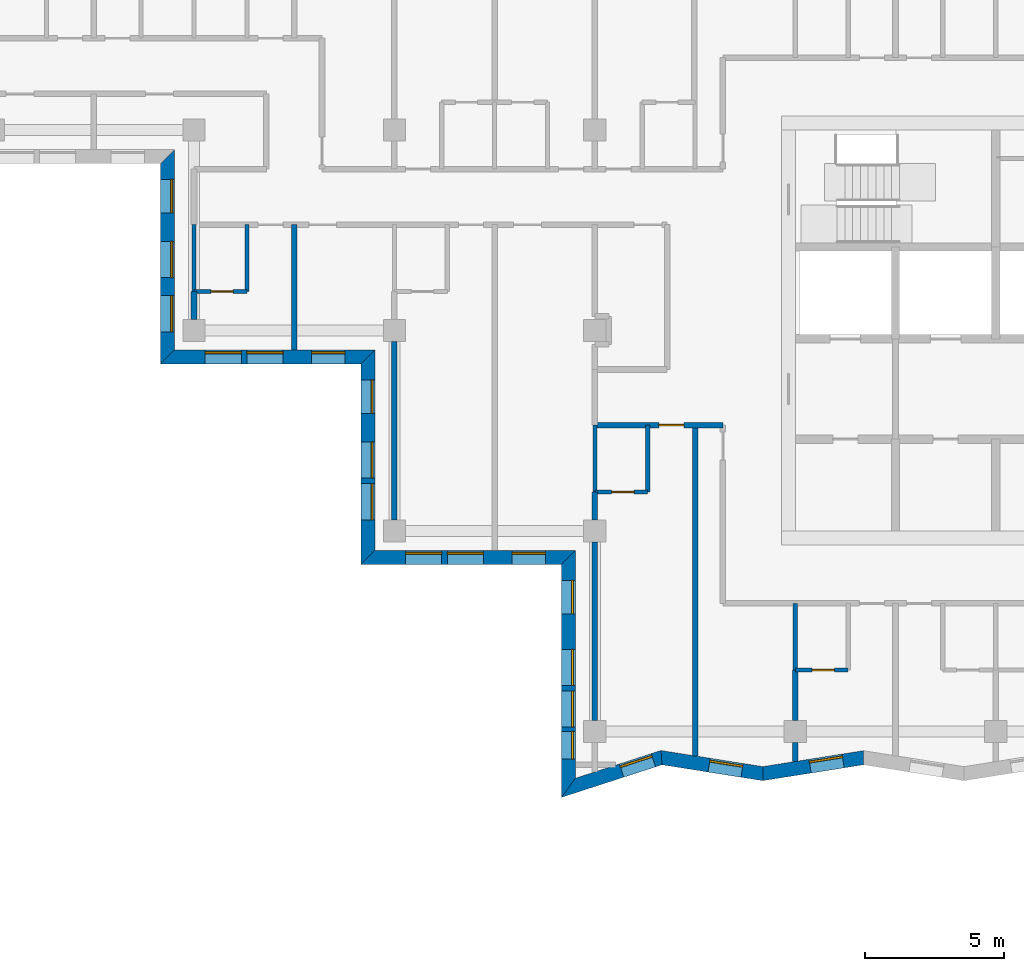
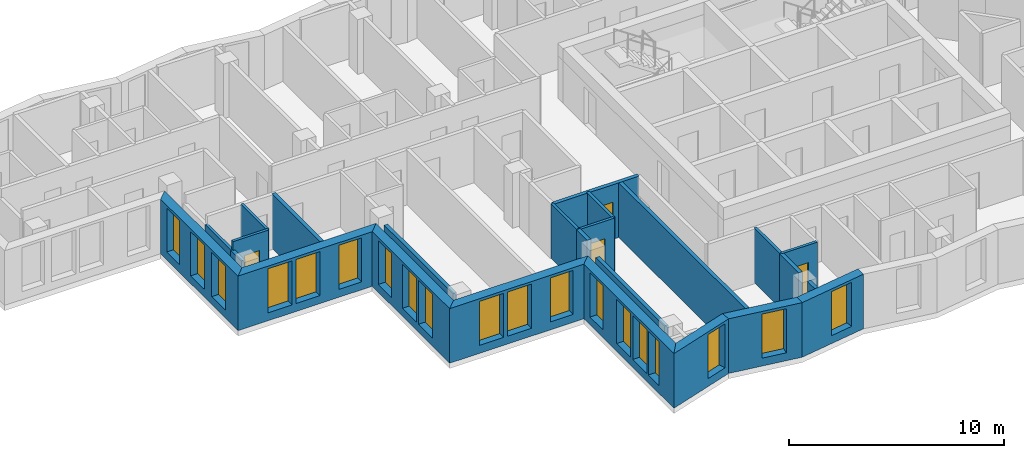
# One storey, part 2 of 13: 25 walls, 19 windows, 4 doors, 23 openings.
"""IFC4 building model written with IfcOpenShell, lengths in metres."""

from ifc_helpers import new_model, si_unit, direction, frame, frame_2d, origin, place, context, subcontext, project, spatial, polyline, rectangle, outline, extrude, material, layer, layer_set, type_object, element, fill, save


model = new_model("IFC4")

# Units and contexts
model_context = context("Model", 3, precision=1e-05, world=origin(), true_north=direction((0.0, 1.0)))
body_context = subcontext(model_context, "Body", "Model", "MODEL_VIEW")
ifc_project = project(units=[si_unit("LENGTHUNIT", "METRE"), si_unit("AREAUNIT", "SQUARE_METRE"), si_unit("VOLUMEUNIT", "CUBIC_METRE"), si_unit("PLANEANGLEUNIT", "RADIAN"), si_unit("MASSUNIT", "GRAM", prefix="KILO")], contexts=[model_context])

# Site, building, storey
site_placement = place(None, origin())
site = spatial("IfcSite", under=ifc_project, at=site_placement, CompositionType="ELEMENT")
building_placement = place(site_placement, origin())
building = spatial("IfcBuilding", under=site, at=building_placement, Name="Windrow Commons", CompositionType="ELEMENT")
storey_placement = place(building_placement, frame((0.0, 0.0, 220.2)))
storey = spatial("IfcBuildingStorey", under=building, at=storey_placement, Name="L60", CompositionType="ELEMENT", Elevation=220.2)

# Wall, openings, windows
ifc_material_1 = material(Name="Brick masonry, red clay brick", Category="masonry")
ifc_layer_1 = layer(ifc_material_1, 0.5)
ifc_layer_set_1 = layer_set([ifc_layer_1], Name="Brick facade wall 500")
wall_type_1 = type_object("IfcWallType", Name="Brick facade wall 500", PredefinedType="SOLIDWALL", material=ifc_layer_set_1)
wall_1_placement = place(storey_placement, frame((35.05, 63.85, 0.0), z_axis=(0.0, 0.0, 1.0), x_axis=(0.0, -1.0, 0.0)))
wall_1 = element("IfcWall", 1, at=wall_1_placement, inside=storey, type_object=wall_type_1, Name="Brick facade wall L60 33", PredefinedType="SOLIDWALL", context=body_context, shape_type="SweptSolid", body=[
    extrude(outline(polyline([(0.25, -0.25), (7.45, -0.25), (6.95, 0.25), (-0.25, 0.25), (0.25, -0.25)])), origin(), (0.0, 0.0, 1.0), 3.1),
])
opening_1_placement = place(wall_1_placement, frame((3.05, 0.0, 0.45)))
opening_1 = element("IfcOpeningElement", 2, at=opening_1_placement, cuts=wall_1, Name="Opening W1Q", PredefinedType="OPENING", context=body_context, shape_type="SweptSolid", body=[
    extrude(rectangle(XDim=1.3, YDim=2.5, at=frame_2d((0.65, 1.25))), frame((0.0, 0.26, 0.0), z_axis=(0.0, -1.0, 0.0), x_axis=(1.0, 0.0, 0.0)), (0.0, 0.0, 1.0), 0.52),
])
opening_2_placement = place(wall_1_placement, frame((5.0, 0.0, 0.45)))
opening_2 = element("IfcOpeningElement", 3, at=opening_2_placement, cuts=wall_1, Name="Opening W1Q", PredefinedType="OPENING", context=body_context, shape_type="SweptSolid", body=[
    extrude(rectangle(XDim=1.3, YDim=2.5, at=frame_2d((0.65, 1.25))), frame((0.0, 0.26, 0.0), z_axis=(0.0, -1.0, 0.0), x_axis=(1.0, 0.0, 0.0)), (0.0, 0.0, 1.0), 0.52),
])
opening_3_placement = place(wall_1_placement, frame((0.825, 0.0, 0.45)))
opening_3 = element("IfcOpeningElement", 4, at=opening_3_placement, cuts=wall_1, Name="Opening W7E", PredefinedType="OPENING", context=body_context, shape_type="SweptSolid", body=[
    extrude(rectangle(XDim=1.2, YDim=2.5, at=frame_2d((0.6, 1.25))), frame((0.0, 0.26, 0.0), z_axis=(0.0, -1.0, 0.0), x_axis=(1.0, 0.0, 0.0)), (0.0, 0.0, 1.0), 0.52),
])
ifc_material_2 = material(Name="Clear float glass in anodised aluminium frame", Category="aluminium")
window_type_1 = type_object("IfcWindowType", Name="Window W1Q pair 1300x2500", PartitioningType="SINGLE_PANEL", PredefinedType="WINDOW", material=ifc_material_2)
window_1_placement = place(opening_1_placement, origin())
window_1 = element("IfcWindow", 5, at=window_1_placement, inside=storey, type_object=window_type_1, Name="Window L60 33.1A", OverallHeight=2.5, OverallWidth=1.3, PartitioningType="SINGLE_PANEL", PredefinedType="WINDOW", context=body_context, shape_type="SweptSolid", body=[
    extrude(rectangle(XDim=1.3, YDim=2.5, at=frame_2d((0.65, 1.25))), frame((0.0, 0.18, 0.0), z_axis=(0.0, -1.0, 0.0), x_axis=(1.0, 0.0, 0.0)), (0.0, 0.0, 1.0), 0.06),
])
fill(opening_1, window_1)
window_2_placement = place(opening_2_placement, origin())
window_2 = element("IfcWindow", 6, at=window_2_placement, inside=storey, type_object=window_type_1, Name="Window L60 33.1B", OverallHeight=2.5, OverallWidth=1.3, PartitioningType="SINGLE_PANEL", PredefinedType="WINDOW", context=body_context, shape_type="SweptSolid", body=[
    extrude(rectangle(XDim=1.3, YDim=2.5, at=frame_2d((0.65, 1.25))), frame((0.0, 0.18, 0.0), z_axis=(0.0, -1.0, 0.0), x_axis=(1.0, 0.0, 0.0)), (0.0, 0.0, 1.0), 0.06),
])
fill(opening_2, window_2)
ifc_material_3 = material(Name="Clear float glass in anodised aluminium frame", Category="aluminium")
window_type_2 = type_object("IfcWindowType", Name="Window W7 notch 1200x2500", PartitioningType="SINGLE_PANEL", PredefinedType="WINDOW", material=ifc_material_3)
window_3_placement = place(opening_3_placement, origin())
window_3 = element("IfcWindow", 7, at=window_3_placement, inside=storey, type_object=window_type_2, Name="Window L60 33.2", OverallHeight=2.5, OverallWidth=1.2, PartitioningType="SINGLE_PANEL", PredefinedType="WINDOW", context=body_context, shape_type="SweptSolid", body=[
    extrude(rectangle(XDim=1.2, YDim=2.5, at=frame_2d((0.6, 1.25))), frame((0.0, 0.18, 0.0), z_axis=(0.0, -1.0, 0.0), x_axis=(1.0, 0.0, 0.0)), (0.0, 0.0, 1.0), 0.06),
])
fill(opening_3, window_3)

wall_2_placement = place(storey_placement, frame((35.05, 56.65, 0.0), z_axis=(0.0, 0.0, 1.0), x_axis=(1.0, 0.0, 0.0)))
wall_2 = element("IfcWall", 8, at=wall_2_placement, inside=storey, type_object=wall_type_1, Name="Brick facade wall L60 34", PredefinedType="SOLIDWALL", context=body_context, shape_type="SweptSolid", body=[
    extrude(outline(polyline([(-0.25, -0.25), (6.95, -0.25), (7.45, 0.25), (0.25, 0.25), (-0.25, -0.25)])), origin(), (0.0, 0.0, 1.0), 3.1),
])
opening_4_placement = place(wall_2_placement, frame((1.35, 0.0, 0.45)))
opening_4 = element("IfcOpeningElement", 9, at=opening_4_placement, cuts=wall_2, Name="Opening W1Q", PredefinedType="OPENING", context=body_context, shape_type="SweptSolid", body=[
    extrude(rectangle(XDim=1.3, YDim=2.5, at=frame_2d((0.65, 1.25))), frame((0.0, 0.26, 0.0), z_axis=(0.0, -1.0, 0.0), x_axis=(1.0, 0.0, 0.0)), (0.0, 0.0, 1.0), 0.52),
])
opening_5_placement = place(wall_2_placement, frame((2.85, 0.0, 0.45)))
opening_5 = element("IfcOpeningElement", 10, at=opening_5_placement, cuts=wall_2, Name="Opening W1Q", PredefinedType="OPENING", context=body_context, shape_type="SweptSolid", body=[
    extrude(rectangle(XDim=1.3, YDim=2.5, at=frame_2d((0.65, 1.25))), frame((0.0, 0.26, 0.0), z_axis=(0.0, -1.0, 0.0), x_axis=(1.0, 0.0, 0.0)), (0.0, 0.0, 1.0), 0.52),
])
opening_6_placement = place(wall_2_placement, frame((5.175, 0.0, 0.45)))
opening_6 = element("IfcOpeningElement", 11, at=opening_6_placement, cuts=wall_2, Name="Opening W7E", PredefinedType="OPENING", context=body_context, shape_type="SweptSolid", body=[
    extrude(rectangle(XDim=1.2, YDim=2.5, at=frame_2d((0.6, 1.25))), frame((0.0, 0.26, 0.0), z_axis=(0.0, -1.0, 0.0), x_axis=(1.0, 0.0, 0.0)), (0.0, 0.0, 1.0), 0.52),
])
window_4_placement = place(opening_4_placement, origin())
window_4 = element("IfcWindow", 12, at=window_4_placement, inside=storey, type_object=window_type_1, Name="Window L60 34.1A", OverallHeight=2.5, OverallWidth=1.3, PartitioningType="SINGLE_PANEL", PredefinedType="WINDOW", context=body_context, shape_type="SweptSolid", body=[
    extrude(rectangle(XDim=1.3, YDim=2.5, at=frame_2d((0.65, 1.25))), frame((0.0, 0.18, 0.0), z_axis=(0.0, -1.0, 0.0), x_axis=(1.0, 0.0, 0.0)), (0.0, 0.0, 1.0), 0.06),
])
fill(opening_4, window_4)
window_5_placement = place(opening_5_placement, origin())
window_5 = element("IfcWindow", 13, at=window_5_placement, inside=storey, type_object=window_type_1, Name="Window L60 34.1B", OverallHeight=2.5, OverallWidth=1.3, PartitioningType="SINGLE_PANEL", PredefinedType="WINDOW", context=body_context, shape_type="SweptSolid", body=[
    extrude(rectangle(XDim=1.3, YDim=2.5, at=frame_2d((0.65, 1.25))), frame((0.0, 0.18, 0.0), z_axis=(0.0, -1.0, 0.0), x_axis=(1.0, 0.0, 0.0)), (0.0, 0.0, 1.0), 0.06),
])
fill(opening_5, window_5)
window_6_placement = place(opening_6_placement, origin())
window_6 = element("IfcWindow", 14, at=window_6_placement, inside=storey, type_object=window_type_2, Name="Window L60 34.2", OverallHeight=2.5, OverallWidth=1.2, PartitioningType="SINGLE_PANEL", PredefinedType="WINDOW", context=body_context, shape_type="SweptSolid", body=[
    extrude(rectangle(XDim=1.2, YDim=2.5, at=frame_2d((0.6, 1.25))), frame((0.0, 0.18, 0.0), z_axis=(0.0, -1.0, 0.0), x_axis=(1.0, 0.0, 0.0)), (0.0, 0.0, 1.0), 0.06),
])
fill(opening_6, window_6)

wall_3_placement = place(storey_placement, frame((42.25, 56.65, 0.0), z_axis=(0.0, 0.0, 1.0), x_axis=(0.0, -1.0, 0.0)))
wall_3 = element("IfcWall", 15, at=wall_3_placement, inside=storey, type_object=wall_type_1, Name="Brick facade wall L60 35", PredefinedType="SOLIDWALL", context=body_context, shape_type="SweptSolid", body=[
    extrude(outline(polyline([(0.25, -0.25), (7.45, -0.25), (6.95, 0.25), (-0.25, 0.25), (0.25, -0.25)])), origin(), (0.0, 0.0, 1.0), 3.1),
])
opening_7_placement = place(wall_3_placement, frame((3.05, 0.0, 0.45)))
opening_7 = element("IfcOpeningElement", 16, at=opening_7_placement, cuts=wall_3, Name="Opening W1Q", PredefinedType="OPENING", context=body_context, shape_type="SweptSolid", body=[
    extrude(rectangle(XDim=1.3, YDim=2.5, at=frame_2d((0.65, 1.25))), frame((0.0, 0.26, 0.0), z_axis=(0.0, -1.0, 0.0), x_axis=(1.0, 0.0, 0.0)), (0.0, 0.0, 1.0), 0.52),
])
opening_8_placement = place(wall_3_placement, frame((4.55, 0.0, 0.45)))
opening_8 = element("IfcOpeningElement", 17, at=opening_8_placement, cuts=wall_3, Name="Opening W1Q", PredefinedType="OPENING", context=body_context, shape_type="SweptSolid", body=[
    extrude(rectangle(XDim=1.3, YDim=2.5, at=frame_2d((0.65, 1.25))), frame((0.0, 0.26, 0.0), z_axis=(0.0, -1.0, 0.0), x_axis=(1.0, 0.0, 0.0)), (0.0, 0.0, 1.0), 0.52),
])
opening_9_placement = place(wall_3_placement, frame((0.825, 0.0, 0.45)))
opening_9 = element("IfcOpeningElement", 18, at=opening_9_placement, cuts=wall_3, Name="Opening W7E", PredefinedType="OPENING", context=body_context, shape_type="SweptSolid", body=[
    extrude(rectangle(XDim=1.2, YDim=2.5, at=frame_2d((0.6, 1.25))), frame((0.0, 0.26, 0.0), z_axis=(0.0, -1.0, 0.0), x_axis=(1.0, 0.0, 0.0)), (0.0, 0.0, 1.0), 0.52),
])
window_7_placement = place(opening_7_placement, origin())
window_7 = element("IfcWindow", 19, at=window_7_placement, inside=storey, type_object=window_type_1, Name="Window L60 35.1A", OverallHeight=2.5, OverallWidth=1.3, PartitioningType="SINGLE_PANEL", PredefinedType="WINDOW", context=body_context, shape_type="SweptSolid", body=[
    extrude(rectangle(XDim=1.3, YDim=2.5, at=frame_2d((0.65, 1.25))), frame((0.0, 0.18, 0.0), z_axis=(0.0, -1.0, 0.0), x_axis=(1.0, 0.0, 0.0)), (0.0, 0.0, 1.0), 0.06),
])
fill(opening_7, window_7)
window_8_placement = place(opening_8_placement, origin())
window_8 = element("IfcWindow", 20, at=window_8_placement, inside=storey, type_object=window_type_1, Name="Window L60 35.1B", OverallHeight=2.5, OverallWidth=1.3, PartitioningType="SINGLE_PANEL", PredefinedType="WINDOW", context=body_context, shape_type="SweptSolid", body=[
    extrude(rectangle(XDim=1.3, YDim=2.5, at=frame_2d((0.65, 1.25))), frame((0.0, 0.18, 0.0), z_axis=(0.0, -1.0, 0.0), x_axis=(1.0, 0.0, 0.0)), (0.0, 0.0, 1.0), 0.06),
])
fill(opening_8, window_8)
window_9_placement = place(opening_9_placement, origin())
window_9 = element("IfcWindow", 21, at=window_9_placement, inside=storey, type_object=window_type_2, Name="Window L60 35.2", OverallHeight=2.5, OverallWidth=1.2, PartitioningType="SINGLE_PANEL", PredefinedType="WINDOW", context=body_context, shape_type="SweptSolid", body=[
    extrude(rectangle(XDim=1.2, YDim=2.5, at=frame_2d((0.6, 1.25))), frame((0.0, 0.18, 0.0), z_axis=(0.0, -1.0, 0.0), x_axis=(1.0, 0.0, 0.0)), (0.0, 0.0, 1.0), 0.06),
])
fill(opening_9, window_9)

wall_4_placement = place(storey_placement, frame((42.25, 49.45, 0.0), z_axis=(0.0, 0.0, 1.0), x_axis=(1.0, 0.0, 0.0)))
wall_4 = element("IfcWall", 22, at=wall_4_placement, inside=storey, type_object=wall_type_1, Name="Brick facade wall L60 36", PredefinedType="SOLIDWALL", context=body_context, shape_type="SweptSolid", body=[
    extrude(outline(polyline([(-0.25, -0.25), (6.95, -0.25), (7.45, 0.25), (0.25, 0.25), (-0.25, -0.25)])), origin(), (0.0, 0.0, 1.0), 3.1),
])
opening_10_placement = place(wall_4_placement, frame((1.35, 0.0, 0.45)))
opening_10 = element("IfcOpeningElement", 23, at=opening_10_placement, cuts=wall_4, Name="Opening W1Q", PredefinedType="OPENING", context=body_context, shape_type="SweptSolid", body=[
    extrude(rectangle(XDim=1.3, YDim=2.5, at=frame_2d((0.65, 1.25))), frame((0.0, 0.26, 0.0), z_axis=(0.0, -1.0, 0.0), x_axis=(1.0, 0.0, 0.0)), (0.0, 0.0, 1.0), 0.52),
])
opening_11_placement = place(wall_4_placement, frame((2.85, 0.0, 0.45)))
opening_11 = element("IfcOpeningElement", 24, at=opening_11_placement, cuts=wall_4, Name="Opening W1Q", PredefinedType="OPENING", context=body_context, shape_type="SweptSolid", body=[
    extrude(rectangle(XDim=1.3, YDim=2.5, at=frame_2d((0.65, 1.25))), frame((0.0, 0.26, 0.0), z_axis=(0.0, -1.0, 0.0), x_axis=(1.0, 0.0, 0.0)), (0.0, 0.0, 1.0), 0.52),
])
opening_12_placement = place(wall_4_placement, frame((5.175, 0.0, 0.45)))
opening_12 = element("IfcOpeningElement", 25, at=opening_12_placement, cuts=wall_4, Name="Opening W7E", PredefinedType="OPENING", context=body_context, shape_type="SweptSolid", body=[
    extrude(rectangle(XDim=1.2, YDim=2.5, at=frame_2d((0.6, 1.25))), frame((0.0, 0.26, 0.0), z_axis=(0.0, -1.0, 0.0), x_axis=(1.0, 0.0, 0.0)), (0.0, 0.0, 1.0), 0.52),
])
window_10_placement = place(opening_10_placement, origin())
window_10 = element("IfcWindow", 26, at=window_10_placement, inside=storey, type_object=window_type_1, Name="Window L60 36.1A", OverallHeight=2.5, OverallWidth=1.3, PartitioningType="SINGLE_PANEL", PredefinedType="WINDOW", context=body_context, shape_type="SweptSolid", body=[
    extrude(rectangle(XDim=1.3, YDim=2.5, at=frame_2d((0.65, 1.25))), frame((0.0, 0.18, 0.0), z_axis=(0.0, -1.0, 0.0), x_axis=(1.0, 0.0, 0.0)), (0.0, 0.0, 1.0), 0.06),
])
fill(opening_10, window_10)
window_11_placement = place(opening_11_placement, origin())
window_11 = element("IfcWindow", 27, at=window_11_placement, inside=storey, type_object=window_type_1, Name="Window L60 36.1B", OverallHeight=2.5, OverallWidth=1.3, PartitioningType="SINGLE_PANEL", PredefinedType="WINDOW", context=body_context, shape_type="SweptSolid", body=[
    extrude(rectangle(XDim=1.3, YDim=2.5, at=frame_2d((0.65, 1.25))), frame((0.0, 0.18, 0.0), z_axis=(0.0, -1.0, 0.0), x_axis=(1.0, 0.0, 0.0)), (0.0, 0.0, 1.0), 0.06),
])
fill(opening_11, window_11)
window_12_placement = place(opening_12_placement, origin())
window_12 = element("IfcWindow", 28, at=window_12_placement, inside=storey, type_object=window_type_2, Name="Window L60 36.2", OverallHeight=2.5, OverallWidth=1.2, PartitioningType="SINGLE_PANEL", PredefinedType="WINDOW", context=body_context, shape_type="SweptSolid", body=[
    extrude(rectangle(XDim=1.2, YDim=2.5, at=frame_2d((0.6, 1.25))), frame((0.0, 0.18, 0.0), z_axis=(0.0, -1.0, 0.0), x_axis=(1.0, 0.0, 0.0)), (0.0, 0.0, 1.0), 0.06),
])
fill(opening_12, window_12)

wall_5_placement = place(storey_placement, frame((49.45, 49.45, 0.0), z_axis=(0.0, 0.0, 1.0), x_axis=(0.0, -1.0, 0.0)))
wall_5 = element("IfcWall", 29, at=wall_5_placement, inside=storey, type_object=wall_type_1, Name="Brick facade wall L60 37", PredefinedType="SOLIDWALL", context=body_context, shape_type="SweptSolid", body=[
    extrude(outline(polyline([(0.25, -0.25), (8.622, -0.25), (7.9343, 0.25), (-0.25, 0.25), (0.25, -0.25)])), origin(), (0.0, 0.0, 1.0), 3.1),
])
opening_13_placement = place(wall_5_placement, frame((3.3, 0.0, 0.45)))
opening_13 = element("IfcOpeningElement", 30, at=opening_13_placement, cuts=wall_5, Name="Opening W1Q", PredefinedType="OPENING", context=body_context, shape_type="SweptSolid", body=[
    extrude(rectangle(XDim=1.3, YDim=2.5, at=frame_2d((0.65, 1.25))), frame((0.0, 0.26, 0.0), z_axis=(0.0, -1.0, 0.0), x_axis=(1.0, 0.0, 0.0)), (0.0, 0.0, 1.0), 0.52),
])
opening_14_placement = place(wall_5_placement, frame((4.8, 0.0, 0.45)))
opening_14 = element("IfcOpeningElement", 31, at=opening_14_placement, cuts=wall_5, Name="Opening W1Q", PredefinedType="OPENING", context=body_context, shape_type="SweptSolid", body=[
    extrude(rectangle(XDim=1.3, YDim=2.5, at=frame_2d((0.65, 1.25))), frame((0.0, 0.26, 0.0), z_axis=(0.0, -1.0, 0.0), x_axis=(1.0, 0.0, 0.0)), (0.0, 0.0, 1.0), 0.52),
])
opening_15_placement = place(wall_5_placement, frame((0.825, 0.0, 0.45)))
opening_15 = element("IfcOpeningElement", 32, at=opening_15_placement, cuts=wall_5, Name="Opening W7E", PredefinedType="OPENING", context=body_context, shape_type="SweptSolid", body=[
    extrude(rectangle(XDim=1.2, YDim=2.5, at=frame_2d((0.6, 1.25))), frame((0.0, 0.26, 0.0), z_axis=(0.0, -1.0, 0.0), x_axis=(1.0, 0.0, 0.0)), (0.0, 0.0, 1.0), 0.52),
])
opening_16_placement = place(wall_5_placement, frame((6.25, 0.0, 0.45)))
opening_16 = element("IfcOpeningElement", 33, at=opening_16_placement, cuts=wall_5, Name="Opening W1S", PredefinedType="OPENING", context=body_context, shape_type="SweptSolid", body=[
    extrude(rectangle(XDim=1.0, YDim=2.5, at=frame_2d((0.5, 1.25))), frame((0.0, 0.26, 0.0), z_axis=(0.0, -1.0, 0.0), x_axis=(1.0, 0.0, 0.0)), (0.0, 0.0, 1.0), 0.52),
])
window_13_placement = place(opening_13_placement, origin())
window_13 = element("IfcWindow", 34, at=window_13_placement, inside=storey, type_object=window_type_1, Name="Window L60 37.1A", OverallHeight=2.5, OverallWidth=1.3, PartitioningType="SINGLE_PANEL", PredefinedType="WINDOW", context=body_context, shape_type="SweptSolid", body=[
    extrude(rectangle(XDim=1.3, YDim=2.5, at=frame_2d((0.65, 1.25))), frame((0.0, 0.18, 0.0), z_axis=(0.0, -1.0, 0.0), x_axis=(1.0, 0.0, 0.0)), (0.0, 0.0, 1.0), 0.06),
])
fill(opening_13, window_13)
window_14_placement = place(opening_14_placement, origin())
window_14 = element("IfcWindow", 35, at=window_14_placement, inside=storey, type_object=window_type_1, Name="Window L60 37.1B", OverallHeight=2.5, OverallWidth=1.3, PartitioningType="SINGLE_PANEL", PredefinedType="WINDOW", context=body_context, shape_type="SweptSolid", body=[
    extrude(rectangle(XDim=1.3, YDim=2.5, at=frame_2d((0.65, 1.25))), frame((0.0, 0.18, 0.0), z_axis=(0.0, -1.0, 0.0), x_axis=(1.0, 0.0, 0.0)), (0.0, 0.0, 1.0), 0.06),
])
fill(opening_14, window_14)
ifc_material_4 = material(Name="Clear float glass in anodised aluminium frame", Category="aluminium")
window_type_3 = type_object("IfcWindowType", Name="Window W1S slit 1000x2500", PartitioningType="SINGLE_PANEL", PredefinedType="WINDOW", material=ifc_material_4)
window_15_placement = place(opening_16_placement, origin())
window_15 = element("IfcWindow", 36, at=window_15_placement, inside=storey, type_object=window_type_3, Name="Window L60 37.3A", OverallHeight=2.5, OverallWidth=1.0, PartitioningType="SINGLE_PANEL", PredefinedType="WINDOW", context=body_context, shape_type="SweptSolid", body=[
    extrude(rectangle(XDim=1.0, YDim=2.5, at=frame_2d((0.5, 1.25))), frame((0.0, 0.18, 0.0), z_axis=(0.0, -1.0, 0.0), x_axis=(1.0, 0.0, 0.0)), (0.0, 0.0, 1.0), 0.06),
])
fill(opening_16, window_15)
window_16_placement = place(opening_15_placement, origin())
window_16 = element("IfcWindow", 37, at=window_16_placement, inside=storey, type_object=window_type_2, Name="Window L60 37.2", OverallHeight=2.5, OverallWidth=1.2, PartitioningType="SINGLE_PANEL", PredefinedType="WINDOW", context=body_context, shape_type="SweptSolid", body=[
    extrude(rectangle(XDim=1.2, YDim=2.5, at=frame_2d((0.6, 1.25))), frame((0.0, 0.18, 0.0), z_axis=(0.0, -1.0, 0.0), x_axis=(1.0, 0.0, 0.0)), (0.0, 0.0, 1.0), 0.06),
])
fill(opening_15, window_16)

# Wall, opening, window
wall_6_placement = place(storey_placement, frame((49.45, 41.1718, 0.0), z_axis=(0.0, 0.0, 1.0), x_axis=(0.9512775992, 0.3083357412, 0.0)))
wall_6 = element("IfcWall", 38, at=wall_6_placement, inside=storey, type_object=wall_type_1, Name="Brick facade wall L60 38", PredefinedType="SOLIDWALL", context=body_context, shape_type="SweptSolid", body=[
    extrude(outline(polyline([(-0.3438, -0.25), (3.4573, -0.25), (3.5771, 0.25), (0.3438, 0.25), (-0.3438, -0.25)])), origin(), (0.0, 0.0, 1.0), 3.1),
])
opening_17_placement = place(wall_6_placement, frame((2.0079, 0.0, 0.45)))
opening_17 = element("IfcOpeningElement", 39, at=opening_17_placement, cuts=wall_6, Name="Opening W7E", PredefinedType="OPENING", context=body_context, shape_type="SweptSolid", body=[
    extrude(rectangle(XDim=1.2, YDim=2.5, at=frame_2d((0.6, 1.25))), frame((0.0, 0.26, 0.0), z_axis=(0.0, -1.0, 0.0), x_axis=(1.0, 0.0, 0.0)), (0.0, 0.0, 1.0), 0.52),
])
window_17_placement = place(opening_17_placement, origin())
window_17 = element("IfcWindow", 40, at=window_17_placement, inside=storey, type_object=window_type_2, Name="Window L60 38.1", OverallHeight=2.5, OverallWidth=1.2, PartitioningType="SINGLE_PANEL", PredefinedType="WINDOW", context=body_context, shape_type="SweptSolid", body=[
    extrude(rectangle(XDim=1.2, YDim=2.5, at=frame_2d((0.6, 1.25))), frame((0.0, 0.18, 0.0), z_axis=(0.0, -1.0, 0.0), x_axis=(1.0, 0.0, 0.0)), (0.0, 0.0, 1.0), 0.06),
])
fill(opening_17, window_17)

wall_7_placement = place(storey_placement, frame((52.7959, 42.2563, 0.0), z_axis=(0.0, 0.0, 1.0), x_axis=(0.9877177726, -0.1562485253, 0.0)))
wall_7 = element("IfcWall", 41, at=wall_7_placement, inside=storey, type_object=wall_type_1, Name="Brick facade wall L60 39", PredefinedType="SOLIDWALL", context=body_context, shape_type="SweptSolid", body=[
    extrude(outline(polyline([(0.0599, -0.25), (3.7208, -0.25), (3.6418, 0.25), (-0.0599, 0.25), (0.0599, -0.25)])), origin(), (0.0, 0.0, 1.0), 3.1),
])
opening_18_placement = place(wall_7_placement, frame((1.7304, 0.0, 0.45)))
opening_18 = element("IfcOpeningElement", 42, at=opening_18_placement, cuts=wall_7, Name="Opening W7E", PredefinedType="OPENING", context=body_context, shape_type="SweptSolid", body=[
    extrude(rectangle(XDim=1.2, YDim=2.5, at=frame_2d((0.6, 1.25))), frame((0.0, 0.26, 0.0), z_axis=(0.0, -1.0, 0.0), x_axis=(1.0, 0.0, 0.0)), (0.0, 0.0, 1.0), 0.52),
])
window_18_placement = place(opening_18_placement, origin())
window_18 = element("IfcWindow", 43, at=window_18_placement, inside=storey, type_object=window_type_2, Name="Window L60 39.1", OverallHeight=2.5, OverallWidth=1.2, PartitioningType="SINGLE_PANEL", PredefinedType="WINDOW", context=body_context, shape_type="SweptSolid", body=[
    extrude(rectangle(XDim=1.2, YDim=2.5, at=frame_2d((0.6, 1.25))), frame((0.0, 0.18, 0.0), z_axis=(0.0, -1.0, 0.0), x_axis=(1.0, 0.0, 0.0)), (0.0, 0.0, 1.0), 0.06),
])
fill(opening_18, window_18)

wall_8_placement = place(storey_placement, frame((56.432, 41.6811, 0.0), z_axis=(0.0, 0.0, 1.0), x_axis=(0.9877186305, 0.156243102, 0.0)))
wall_8 = element("IfcWall", 44, at=wall_8_placement, inside=storey, type_object=wall_type_1, Name="Brick facade wall L60 40", PredefinedType="SOLIDWALL", context=body_context, shape_type="SweptSolid", body=[
    extrude(outline(polyline([(-0.0395, -0.25), (3.6214, -0.25), (3.7005, 0.25), (0.0395, 0.25), (-0.0395, -0.25)])), origin(), (0.0, 0.0, 1.0), 3.1),
])
opening_19_placement = place(wall_8_placement, frame((1.7217, 0.0, 0.45)))
opening_19 = element("IfcOpeningElement", 45, at=opening_19_placement, cuts=wall_8, Name="Opening W7E", PredefinedType="OPENING", context=body_context, shape_type="SweptSolid", body=[
    extrude(rectangle(XDim=1.2, YDim=2.5, at=frame_2d((0.6, 1.25))), frame((0.0, 0.26, 0.0), z_axis=(0.0, -1.0, 0.0), x_axis=(1.0, 0.0, 0.0)), (0.0, 0.0, 1.0), 0.52),
])
window_19_placement = place(opening_19_placement, origin())
window_19 = element("IfcWindow", 46, at=window_19_placement, inside=storey, type_object=window_type_2, Name="Window L60 40.1", OverallHeight=2.5, OverallWidth=1.2, PartitioningType="SINGLE_PANEL", PredefinedType="WINDOW", context=body_context, shape_type="SweptSolid", body=[
    extrude(rectangle(XDim=1.2, YDim=2.5, at=frame_2d((0.6, 1.25))), frame((0.0, 0.18, 0.0), z_axis=(0.0, -1.0, 0.0), x_axis=(1.0, 0.0, 0.0)), (0.0, 0.0, 1.0), 0.06),
])
fill(opening_19, window_19)

# Wall, opening, door
ifc_material_5 = material(Name="Blockwork partition", Category="masonry")
ifc_layer_2 = layer(ifc_material_5, 0.2)
ifc_layer_set_2 = layer_set([ifc_layer_2], Name="IW-CORRIDOR-200")
wall_type_2 = type_object("IfcWallType", Name="IW-CORRIDOR-200", PredefinedType="PARTITIONING", material=ifc_layer_set_2)
wall_9_placement = place(storey_placement, frame((50.4, 54.2, 0.0), z_axis=(0.0, 0.0, 1.0), x_axis=(1.0, 0.0, 0.0)))
wall_9 = element("IfcWall", 47, at=wall_9_placement, inside=storey, type_object=wall_type_2, Name="W-L60-W037", PredefinedType="PARTITIONING", context=body_context, shape_type="SweptSolid", body=[
    extrude(rectangle(XDim=4.6, YDim=0.2, at=frame_2d((2.3, 0.0))), origin(), (0.0, 0.0, 1.0), 3.1),
])
opening_20_placement = place(wall_9_placement, frame((2.3, 0.0, 0.0)))
opening_20 = element("IfcOpeningElement", 48, at=opening_20_placement, cuts=wall_9, Name="Opening D109S", PredefinedType="OPENING", context=body_context, shape_type="SweptSolid", body=[
    extrude(rectangle(XDim=0.9, YDim=2.1, at=frame_2d((0.45, 1.05))), frame((0.0, 0.11, 0.0), z_axis=(0.0, -1.0, 0.0), x_axis=(1.0, 0.0, 0.0)), (0.0, 0.0, 1.0), 0.22),
])
ifc_material_6 = material(Name="Timber door leaf", Category="wood")
door_type_1 = type_object("IfcDoorType", Name="DT-BEDROOM-900", OperationType="SINGLE_SWING_LEFT", PredefinedType="DOOR", material=ifc_material_6)
door_1_placement = place(opening_20_placement, origin())
door_1 = element("IfcDoor", 49, at=door_1_placement, inside=storey, type_object=door_type_1, Name="D-L60-D026", OperationType="SINGLE_SWING_LEFT", OverallHeight=2.1, OverallWidth=0.9, PredefinedType="DOOR", context=body_context, shape_type="SweptSolid", body=[
    extrude(rectangle(XDim=0.9, YDim=2.1, at=frame_2d((0.45, 1.05))), frame((0.0, 0.025, 0.0), z_axis=(0.0, -1.0, 0.0), x_axis=(1.0, 0.0, 0.0)), (0.0, 0.0, 1.0), 0.05),
])
fill(opening_20, door_1)

# Walls
ifc_material_7 = material(Name="Blockwork partition", Category="masonry")
ifc_layer_3 = layer(ifc_material_7, 0.15)
ifc_layer_set_3 = layer_set([ifc_layer_3], Name="IW-ENSUITE-150")
wall_type_3 = type_object("IfcWallType", Name="IW-ENSUITE-150", PredefinedType="PARTITIONING", material=ifc_layer_set_3)
for number, where, z_axis, x_axis, name in (
    (50, (52.3, 51.8, 0.0), (0.0, 0.0, 1.0), (0.0, 1.0, 0.0), "W-L60-W078"),
    (51, (50.4, 51.8, 0.0), (0.0, 0.0, 1.0), (0.0, 1.0, 0.0), "W-L60-W079"),
    (52, (37.9, 59.0, 0.0), (0.0, 0.0, 1.0), (0.0, 1.0, 0.0), "W-L60-W080"),
):
    element("IfcWall", number, at=place(storey_placement, frame(where, z_axis=z_axis, x_axis=x_axis)), inside=storey, type_object=wall_type_3, Name=name, PredefinedType="PARTITIONING", context=body_context, shape_type="SweptSolid", body=[
        extrude(rectangle(XDim=2.4, YDim=0.15, at=frame_2d((1.2, 0.0))), origin(), (0.0, 0.0, 1.0), 3.1),
    ])
wall_10_placement = place(storey_placement, frame((36.0, 59.0, 0.0), z_axis=(0.0, 0.0, 1.0), x_axis=(0.0, 1.0, 0.0)))
element("IfcWall", 53, at=wall_10_placement, inside=storey, type_object=wall_type_3, Name="W-L60-W081", PredefinedType="PARTITIONING", context=body_context, shape_type="SweptSolid", body=[
    extrude(rectangle(XDim=2.4, YDim=0.15, at=frame_2d((1.2, 0.0))), origin(), (0.0, 0.0, 1.0), 2.6),
])
wall_11_placement = place(storey_placement, frame((57.6, 45.4, 0.0), z_axis=(0.0, 0.0, 1.0), x_axis=(0.0, 1.0, 0.0)))
element("IfcWall", 54, at=wall_11_placement, inside=storey, type_object=wall_type_3, Name="W-L60-W090", PredefinedType="PARTITIONING", context=body_context, shape_type="SweptSolid", body=[
    extrude(rectangle(XDim=2.4, YDim=0.15, at=frame_2d((1.2, 0.0))), origin(), (0.0, 0.0, 1.0), 3.1),
])

# Wall, opening, door
wall_12_placement = place(storey_placement, frame((36.0, 59.0, 0.0), z_axis=(0.0, 0.0, 1.0), x_axis=(1.0, 0.0, 0.0)))
wall_12 = element("IfcWall", 55, at=wall_12_placement, inside=storey, type_object=wall_type_3, Name="W-L60-W119", PredefinedType="PARTITIONING", context=body_context, shape_type="SweptSolid", body=[
    extrude(rectangle(XDim=1.9, YDim=0.15, at=frame_2d((0.95, 0.0))), origin(), (0.0, 0.0, 1.0), 3.1),
])
opening_21_placement = place(wall_12_placement, frame((0.6069, 0.0, 0.0)))
opening_21 = element("IfcOpeningElement", 56, at=opening_21_placement, cuts=wall_12, Name="Opening D208N", PredefinedType="OPENING", context=body_context, shape_type="SweptSolid", body=[
    extrude(rectangle(XDim=0.8, YDim=2.1, at=frame_2d((0.4, 1.05))), frame((0.0, 0.085, 0.0), z_axis=(0.0, -1.0, 0.0), x_axis=(1.0, 0.0, 0.0)), (0.0, 0.0, 1.0), 0.17),
])
ifc_material_8 = material(Name="Timber door leaf", Category="wood")
door_type_2 = type_object("IfcDoorType", Name="DT-ENSUITE-800", OperationType="SINGLE_SWING_LEFT", PredefinedType="DOOR", material=ifc_material_8)
door_2_placement = place(opening_21_placement, origin())
door_2 = element("IfcDoor", 57, at=door_2_placement, inside=storey, type_object=door_type_2, Name="D-L60-D010", OperationType="SINGLE_SWING_RIGHT", OverallHeight=2.1, OverallWidth=0.8, PredefinedType="DOOR", context=body_context, shape_type="SweptSolid", body=[
    extrude(rectangle(XDim=0.8, YDim=2.1, at=frame_2d((0.4, 1.05))), frame((0.0, 0.025, 0.0), z_axis=(0.0, -1.0, 0.0), x_axis=(1.0, 0.0, 0.0)), (0.0, 0.0, 1.0), 0.05),
])
fill(opening_21, door_2)

wall_13_placement = place(storey_placement, frame((50.4, 51.8, 0.0), z_axis=(0.0, 0.0, 1.0), x_axis=(1.0, 0.0, 0.0)))
wall_13 = element("IfcWall", 58, at=wall_13_placement, inside=storey, type_object=wall_type_3, Name="W-L60-W122", PredefinedType="PARTITIONING", context=body_context, shape_type="SweptSolid", body=[
    extrude(rectangle(XDim=1.9, YDim=0.15, at=frame_2d((0.95, 0.0))), origin(), (0.0, 0.0, 1.0), 3.1),
])
opening_22_placement = place(wall_13_placement, frame((0.6069, 0.0, 0.0)))
opening_22 = element("IfcOpeningElement", 59, at=opening_22_placement, cuts=wall_13, Name="Opening D208N", PredefinedType="OPENING", context=body_context, shape_type="SweptSolid", body=[
    extrude(rectangle(XDim=0.8, YDim=2.1, at=frame_2d((0.4, 1.05))), frame((0.0, 0.085, 0.0), z_axis=(0.0, -1.0, 0.0), x_axis=(1.0, 0.0, 0.0)), (0.0, 0.0, 1.0), 0.17),
])
door_3_placement = place(opening_22_placement, origin())
door_3 = element("IfcDoor", 60, at=door_3_placement, inside=storey, type_object=door_type_2, Name="D-L60-D027", OperationType="SINGLE_SWING_RIGHT", OverallHeight=2.1, OverallWidth=0.8, PredefinedType="DOOR", context=body_context, shape_type="SweptSolid", body=[
    extrude(rectangle(XDim=0.8, YDim=2.1, at=frame_2d((0.4, 1.05))), frame((0.0, 0.025, 0.0), z_axis=(0.0, -1.0, 0.0), x_axis=(1.0, 0.0, 0.0)), (0.0, 0.0, 1.0), 0.05),
])
fill(opening_22, door_3)

wall_14_placement = place(storey_placement, frame((57.6, 45.4, 0.0), z_axis=(0.0, 0.0, 1.0), x_axis=(1.0, 0.0, 0.0)))
wall_14 = element("IfcWall", 61, at=wall_14_placement, inside=storey, type_object=wall_type_3, Name="W-L60-W123", PredefinedType="PARTITIONING", context=body_context, shape_type="SweptSolid", body=[
    extrude(rectangle(XDim=1.9, YDim=0.15, at=frame_2d((0.95, 0.0))), origin(), (0.0, 0.0, 1.0), 3.1),
])
opening_23_placement = place(wall_14_placement, frame((0.6069, 0.0, 0.0)))
opening_23 = element("IfcOpeningElement", 62, at=opening_23_placement, cuts=wall_14, Name="Opening D208N", PredefinedType="OPENING", context=body_context, shape_type="SweptSolid", body=[
    extrude(rectangle(XDim=0.8, YDim=2.1, at=frame_2d((0.4, 1.05))), frame((0.0, 0.085, 0.0), z_axis=(0.0, -1.0, 0.0), x_axis=(1.0, 0.0, 0.0)), (0.0, 0.0, 1.0), 0.17),
])
door_4_placement = place(opening_23_placement, origin())
door_4 = element("IfcDoor", 63, at=door_4_placement, inside=storey, type_object=door_type_2, Name="D-L60-D031", OperationType="SINGLE_SWING_RIGHT", OverallHeight=2.1, OverallWidth=0.8, PredefinedType="DOOR", context=body_context, shape_type="SweptSolid", body=[
    extrude(rectangle(XDim=0.8, YDim=2.1, at=frame_2d((0.4, 1.05))), frame((0.0, 0.025, 0.0), z_axis=(0.0, -1.0, 0.0), x_axis=(1.0, 0.0, 0.0)), (0.0, 0.0, 1.0), 0.05),
])
fill(opening_23, door_4)

# Walls
ifc_material_9 = material(Name="Blockwork partition", Category="masonry")
ifc_layer_4 = layer(ifc_material_9, 0.2)
ifc_layer_set_4 = layer_set([ifc_layer_4], Name="IW-PARTY-200")
wall_type_4 = type_object("IfcWallType", Name="IW-PARTY-200", PredefinedType="PARTITIONING", material=ifc_layer_set_4)
wall_15_placement = place(storey_placement, frame((54.0, 42.3189, 0.0), z_axis=(0.0, 0.0, 1.0), x_axis=(0.0, 1.0, 0.0)))
element("IfcWall", 64, at=wall_15_placement, inside=storey, type_object=wall_type_4, Name="W-L60-W004", PredefinedType="PARTITIONING", context=body_context, shape_type="SweptSolid", body=[
    extrude(rectangle(XDim=11.8811, YDim=0.2, at=frame_2d((5.9405, 0.0))), origin(), (0.0, 0.0, 1.0), 3.1),
])
for number, where, z_axis, x_axis, name in (
    (65, (43.2, 50.8, 0.0), (0.0, 0.0, 1.0), (0.0, 1.0, 0.0), "W-L60-W019"),
    (66, (50.4, 43.6, 0.0), (0.0, 0.0, 1.0), (0.0, 1.0, 0.0), "W-L60-W021"),
):
    element("IfcWall", number, at=place(storey_placement, frame(where, z_axis=z_axis, x_axis=x_axis)), inside=storey, type_object=wall_type_4, Name=name, PredefinedType="PARTITIONING", context=body_context, shape_type="SweptSolid", body=[
        extrude(rectangle(XDim=6.4, YDim=0.2, at=frame_2d((3.2, 0.0))), origin(), (0.0, 0.0, 1.0), 2.6),
    ])
wall_16_placement = place(storey_placement, frame((39.6, 56.9, 0.0), z_axis=(0.0, 0.0, 1.0), x_axis=(0.0, 1.0, 0.0)))
element("IfcWall", 67, at=wall_16_placement, inside=storey, type_object=wall_type_4, Name="W-L60-W041", PredefinedType="PARTITIONING", context=body_context, shape_type="SweptSolid", body=[
    extrude(rectangle(XDim=4.5, YDim=0.2, at=frame_2d((2.25, 0.0))), origin(), (0.0, 0.0, 1.0), 3.1),
])
wall_17_placement = place(storey_placement, frame((57.6, 43.6, 0.0), z_axis=(0.0, 0.0, 1.0), x_axis=(0.0, 1.0, 0.0)))
element("IfcWall", 68, at=wall_17_placement, inside=storey, type_object=wall_type_4, Name="W-L60-W127", PredefinedType="PARTITIONING", context=body_context, shape_type="SweptSolid", body=[
    extrude(rectangle(XDim=1.8, YDim=0.2, at=frame_2d((0.9, 0.0))), origin(), (0.0, 0.0, 1.0), 3.1),
])
wall_18_placement = place(storey_placement, frame((36.0, 58.0, 0.0), z_axis=(0.0, 0.0, 1.0), x_axis=(0.0, 1.0, 0.0)))
element("IfcWall", 69, at=wall_18_placement, inside=storey, type_object=wall_type_4, Name="W-L60-W142", PredefinedType="PARTITIONING", context=body_context, shape_type="SweptSolid", body=[
    extrude(rectangle(XDim=1.0, YDim=0.2, at=frame_2d((0.5, 0.0))), origin(), (0.0, 0.0, 1.0), 2.6),
])
wall_19_placement = place(storey_placement, frame((50.4, 50.8, 0.0), z_axis=(0.0, 0.0, 1.0), x_axis=(0.0, 1.0, 0.0)))
element("IfcWall", 70, at=wall_19_placement, inside=storey, type_object=wall_type_4, Name="W-L60-W144", PredefinedType="PARTITIONING", context=body_context, shape_type="SweptSolid", body=[
    extrude(rectangle(XDim=1.0, YDim=0.2, at=frame_2d((0.5, 0.0))), origin(), (0.0, 0.0, 1.0), 3.1),
])
wall_20_placement = place(storey_placement, frame((57.6, 42.119, 0.0), z_axis=(0.0, 0.0, 1.0), x_axis=(0.0, 1.0, 0.0)))
element("IfcWall", 71, at=wall_20_placement, inside=storey, type_object=wall_type_4, Name="W-L60-W155", PredefinedType="PARTITIONING", context=body_context, shape_type="SweptSolid", body=[
    extrude(rectangle(XDim=0.681, YDim=0.2, at=frame_2d((0.3405, 0.0))), origin(), (0.0, 0.0, 1.0), 3.1),
])

save(model, "model.ifc")
